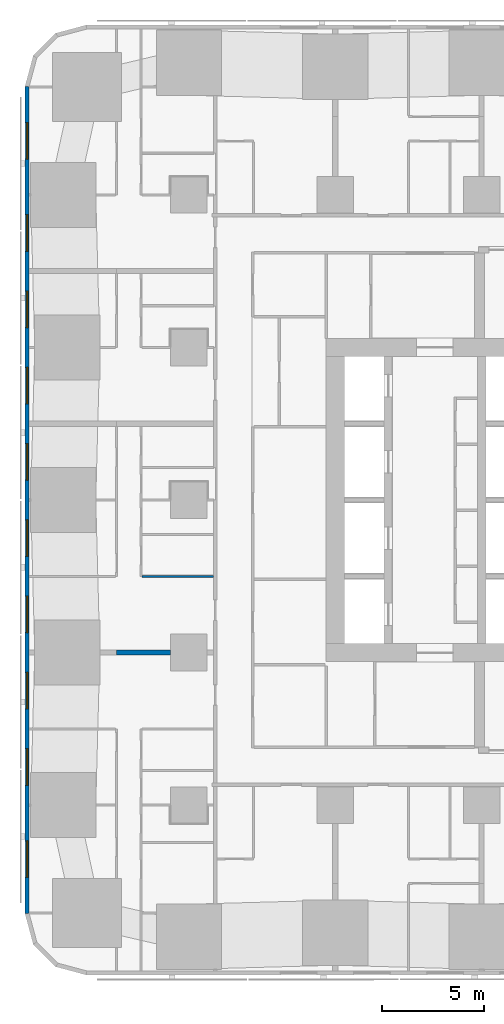
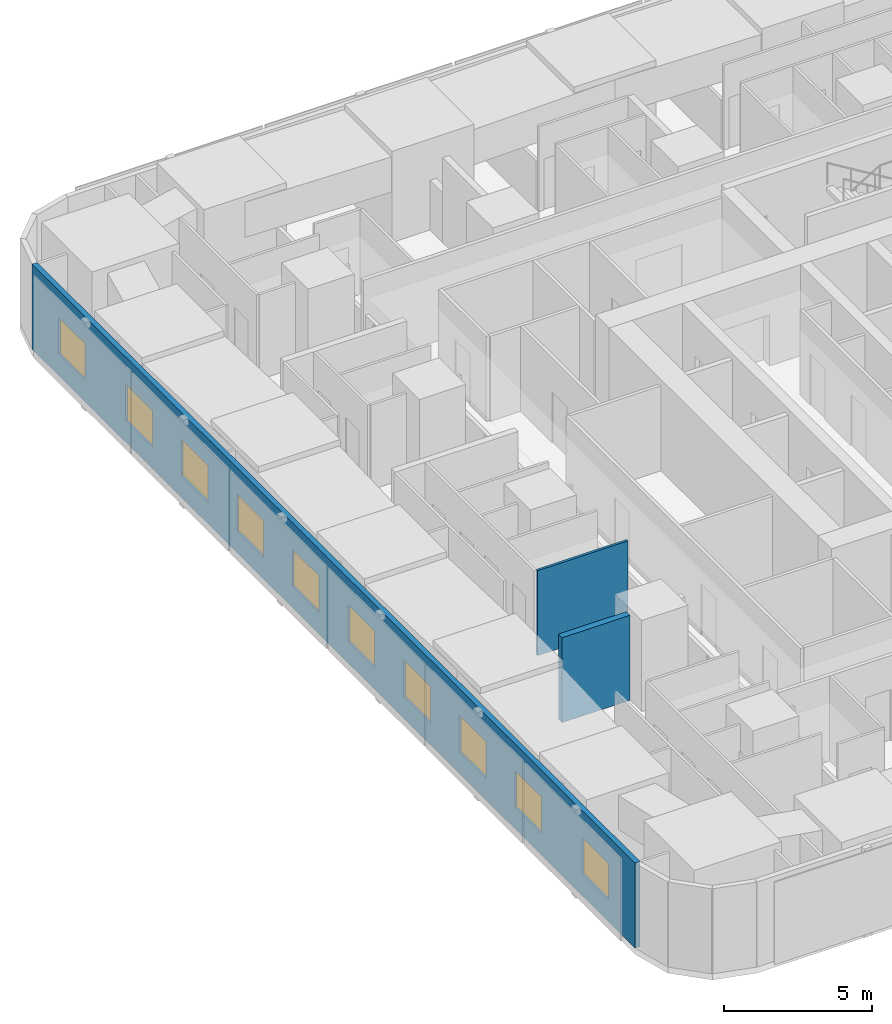
# One storey, part 4 of 17: 10 windows, 3 walls, 10 openings.
"""IFC4 building model written with IfcOpenShell, lengths in metres."""

from ifc_helpers import new_model, si_unit, direction, frame, frame_2d, origin, place, context, subcontext, project, spatial, rectangle, extrude, material, layer, layer_set, type_object, element, fill, save


model = new_model("IFC4")

# Units and contexts
model_context = context("Model", 3, precision=1e-05, world=origin(), true_north=direction((0.0, 1.0)))
body_context = subcontext(model_context, "Body", "Model", "MODEL_VIEW")
ifc_project = project(units=[si_unit("LENGTHUNIT", "METRE"), si_unit("AREAUNIT", "SQUARE_METRE"), si_unit("VOLUMEUNIT", "CUBIC_METRE"), si_unit("PLANEANGLEUNIT", "RADIAN"), si_unit("MASSUNIT", "GRAM", prefix="KILO")], contexts=[model_context])

# Site, building, storey
site_placement = place(None, origin())
site = spatial("IfcSite", under=ifc_project, at=site_placement, CompositionType="ELEMENT")
building_placement = place(site_placement, origin())
building = spatial("IfcBuilding", under=site, at=building_placement, Name="Sheger Commons Tower", CompositionType="ELEMENT")
storey_placement = place(building_placement, frame((0.0, 0.0, 27.5)))
storey = spatial("IfcBuildingStorey", under=building, at=storey_placement, Name="L06", CompositionType="ELEMENT", Elevation=27.5)

# Wall
ifc_material_1 = material(Name="Dense concrete block masonry, plastered both sides (separating wall between flats)", Category="masonry")
ifc_layer_1 = layer(ifc_material_1, 0.25)
ifc_layer_set_1 = layer_set([ifc_layer_1], Name="DEMISING WALL 250")
wall_type_1 = type_object("IfcWallType", Name="DEMISING WALL 250", PredefinedType="SOLIDWALL", material=ifc_layer_set_1)
wall_1_placement = place(storey_placement, frame((3.64990234375, 15.0, 0.0), z_axis=(0.0, 0.0, 1.0), x_axis=(1.0, 0.0, 0.0)))
element("IfcWall", 1, at=wall_1_placement, inside=storey, type_object=wall_type_1, Name="Demising wall L06", PredefinedType="SOLIDWALL", context=body_context, shape_type="SweptSolid", body=[
    extrude(rectangle(XDim=2.649169921875, YDim=0.25, at=frame_2d((1.32470703125, 0.0))), origin(), (0.0, 0.0, 1.0), 3.5),
])

# Wall, openings, windows
ifc_material_2 = material(Name="Rendered concrete block masonry, dark grey", Category="masonry")
ifc_layer_2 = layer(ifc_material_2, 0.199951171875)
ifc_layer_set_2 = layer_set([ifc_layer_2], Name="FACADE WALL 200")
wall_type_2 = type_object("IfcWallType", Name="FACADE WALL 200", PredefinedType="SOLIDWALL", material=ifc_layer_set_2)
wall_2_placement = place(storey_placement, frame((-0.75, 42.8369140625, 0.0), z_axis=(0.0, 0.0, 1.0), x_axis=(0.0, -1.0, 0.0)))
wall_2 = element("IfcWall", 2, at=wall_2_placement, inside=storey, type_object=wall_type_2, Name="Facade wall L06", PredefinedType="SOLIDWALL", context=body_context, shape_type="SweptSolid", body=[
    extrude(rectangle(XDim=40.673828125, YDim=0.199951171875, at=frame_2d((20.3369140625, 0.0))), origin(), (0.0, 0.0, 1.0), 3.5),
])
opening_1_placement = place(wall_2_placement, frame((1.780029296875, 0.0, 0.89990234375)))
opening_1 = element("IfcOpeningElement", 3, at=opening_1_placement, cuts=wall_2, Name="Opening W2", PredefinedType="OPENING", context=body_context, shape_type="SweptSolid", body=[
    extrude(rectangle(XDim=1.800048828125, YDim=1.5, at=frame_2d((0.89990234375, 0.75))), frame((0.0, 0.10986328125, 0.0), z_axis=(0.0, -1.0, 0.0), x_axis=(1.0, 0.0, 0.0)), (0.0, 0.0, 1.0), 0.219970703125),
])
opening_2_placement = place(wall_2_placement, frame((6.31201171875, 0.0, 0.89990234375)))
opening_2 = element("IfcOpeningElement", 4, at=opening_2_placement, cuts=wall_2, Name="Opening W2", PredefinedType="OPENING", context=body_context, shape_type="SweptSolid", body=[
    extrude(rectangle(XDim=1.800048828125, YDim=1.5, at=frame_2d((0.89990234375, 0.75))), frame((0.0, 0.10986328125, 0.0), z_axis=(0.0, -1.0, 0.0), x_axis=(1.0, 0.0, 0.0)), (0.0, 0.0, 1.0), 0.219970703125),
])
opening_3_placement = place(wall_2_placement, frame((10.06201171875, 0.0, 0.89990234375)))
opening_3 = element("IfcOpeningElement", 5, at=opening_3_placement, cuts=wall_2, Name="Opening W2", PredefinedType="OPENING", context=body_context, shape_type="SweptSolid", body=[
    extrude(rectangle(XDim=1.800048828125, YDim=1.5, at=frame_2d((0.89990234375, 0.75))), frame((0.0, 0.10986328125, 0.0), z_axis=(0.0, -1.0, 0.0), x_axis=(1.0, 0.0, 0.0)), (0.0, 0.0, 1.0), 0.219970703125),
])
opening_4_placement = place(wall_2_placement, frame((13.81201171875, 0.0, 0.89990234375)))
opening_4 = element("IfcOpeningElement", 6, at=opening_4_placement, cuts=wall_2, Name="Opening W2", PredefinedType="OPENING", context=body_context, shape_type="SweptSolid", body=[
    extrude(rectangle(XDim=1.800048828125, YDim=1.5, at=frame_2d((0.89990234375, 0.75))), frame((0.0, 0.10986328125, 0.0), z_axis=(0.0, -1.0, 0.0), x_axis=(1.0, 0.0, 0.0)), (0.0, 0.0, 1.0), 0.219970703125),
])
opening_5_placement = place(wall_2_placement, frame((17.56201171875, 0.0, 0.89990234375)))
opening_5 = element("IfcOpeningElement", 7, at=opening_5_placement, cuts=wall_2, Name="Opening W2", PredefinedType="OPENING", context=body_context, shape_type="SweptSolid", body=[
    extrude(rectangle(XDim=1.800048828125, YDim=1.5, at=frame_2d((0.89990234375, 0.75))), frame((0.0, 0.10986328125, 0.0), z_axis=(0.0, -1.0, 0.0), x_axis=(1.0, 0.0, 0.0)), (0.0, 0.0, 1.0), 0.219970703125),
])
opening_6_placement = place(wall_2_placement, frame((21.31201171875, 0.0, 0.89990234375)))
opening_6 = element("IfcOpeningElement", 8, at=opening_6_placement, cuts=wall_2, Name="Opening W2", PredefinedType="OPENING", context=body_context, shape_type="SweptSolid", body=[
    extrude(rectangle(XDim=1.800048828125, YDim=1.5, at=frame_2d((0.89990234375, 0.75))), frame((0.0, 0.10986328125, 0.0), z_axis=(0.0, -1.0, 0.0), x_axis=(1.0, 0.0, 0.0)), (0.0, 0.0, 1.0), 0.219970703125),
])
opening_7_placement = place(wall_2_placement, frame((25.06201171875, 0.0, 0.89990234375)))
opening_7 = element("IfcOpeningElement", 9, at=opening_7_placement, cuts=wall_2, Name="Opening W2", PredefinedType="OPENING", context=body_context, shape_type="SweptSolid", body=[
    extrude(rectangle(XDim=1.800048828125, YDim=1.5, at=frame_2d((0.89990234375, 0.75))), frame((0.0, 0.10986328125, 0.0), z_axis=(0.0, -1.0, 0.0), x_axis=(1.0, 0.0, 0.0)), (0.0, 0.0, 1.0), 0.219970703125),
])
opening_8_placement = place(wall_2_placement, frame((28.81201171875, 0.0, 0.89990234375)))
opening_8 = element("IfcOpeningElement", 10, at=opening_8_placement, cuts=wall_2, Name="Opening W2", PredefinedType="OPENING", context=body_context, shape_type="SweptSolid", body=[
    extrude(rectangle(XDim=1.800048828125, YDim=1.5, at=frame_2d((0.89990234375, 0.75))), frame((0.0, 0.10986328125, 0.0), z_axis=(0.0, -1.0, 0.0), x_axis=(1.0, 0.0, 0.0)), (0.0, 0.0, 1.0), 0.219970703125),
])
opening_9_placement = place(wall_2_placement, frame((32.56201171875, 0.0, 0.89990234375)))
opening_9 = element("IfcOpeningElement", 11, at=opening_9_placement, cuts=wall_2, Name="Opening W2", PredefinedType="OPENING", context=body_context, shape_type="SweptSolid", body=[
    extrude(rectangle(XDim=1.800048828125, YDim=1.5, at=frame_2d((0.89990234375, 0.75))), frame((0.0, 0.10986328125, 0.0), z_axis=(0.0, -1.0, 0.0), x_axis=(1.0, 0.0, 0.0)), (0.0, 0.0, 1.0), 0.219970703125),
])
opening_10_placement = place(wall_2_placement, frame((37.093994140625, 0.0, 0.89990234375)))
opening_10 = element("IfcOpeningElement", 12, at=opening_10_placement, cuts=wall_2, Name="Opening W2", PredefinedType="OPENING", context=body_context, shape_type="SweptSolid", body=[
    extrude(rectangle(XDim=1.800048828125, YDim=1.5, at=frame_2d((0.89990234375, 0.75))), frame((0.0, 0.10986328125, 0.0), z_axis=(0.0, -1.0, 0.0), x_axis=(1.0, 0.0, 0.0)), (0.0, 0.0, 1.0), 0.219970703125),
])
ifc_material_3 = material(Name="Black aluminium frame, dark tinted double glazing", Category="aluminium")
window_type = type_object("IfcWindowType", Name="WINDOW W2 1800x1500", PartitioningType="SINGLE_PANEL", PredefinedType="WINDOW", material=ifc_material_3)
window_1_placement = place(opening_1_placement, origin())
window_1 = element("IfcWindow", 13, at=window_1_placement, inside=storey, type_object=window_type, Name="Window W2 1800X1500", OverallHeight=1.5, OverallWidth=1.800048828125, PartitioningType="SINGLE_PANEL", PredefinedType="WINDOW", context=body_context, shape_type="SweptSolid", body=[
    extrude(rectangle(XDim=1.800048828125, YDim=1.5, at=frame_2d((0.89990234375, 0.75))), frame((0.0, 0.030029296875, 0.0), z_axis=(0.0, -1.0, 0.0), x_axis=(1.0, 0.0, 0.0)), (0.0, 0.0, 1.0), 0.06005859375),
])
fill(opening_1, window_1)
window_2_placement = place(opening_2_placement, origin())
window_2 = element("IfcWindow", 14, at=window_2_placement, inside=storey, type_object=window_type, Name="Window W2 1800X1500", OverallHeight=1.5, OverallWidth=1.800048828125, PartitioningType="SINGLE_PANEL", PredefinedType="WINDOW", context=body_context, shape_type="SweptSolid", body=[
    extrude(rectangle(XDim=1.800048828125, YDim=1.5, at=frame_2d((0.89990234375, 0.75))), frame((0.0, 0.030029296875, 0.0), z_axis=(0.0, -1.0, 0.0), x_axis=(1.0, 0.0, 0.0)), (0.0, 0.0, 1.0), 0.06005859375),
])
fill(opening_2, window_2)
window_3_placement = place(opening_3_placement, origin())
window_3 = element("IfcWindow", 15, at=window_3_placement, inside=storey, type_object=window_type, Name="Window W2 1800X1500", OverallHeight=1.5, OverallWidth=1.800048828125, PartitioningType="SINGLE_PANEL", PredefinedType="WINDOW", context=body_context, shape_type="SweptSolid", body=[
    extrude(rectangle(XDim=1.800048828125, YDim=1.5, at=frame_2d((0.89990234375, 0.75))), frame((0.0, 0.030029296875, 0.0), z_axis=(0.0, -1.0, 0.0), x_axis=(1.0, 0.0, 0.0)), (0.0, 0.0, 1.0), 0.06005859375),
])
fill(opening_3, window_3)
window_4_placement = place(opening_4_placement, origin())
window_4 = element("IfcWindow", 16, at=window_4_placement, inside=storey, type_object=window_type, Name="Window W2 1800X1500", OverallHeight=1.5, OverallWidth=1.800048828125, PartitioningType="SINGLE_PANEL", PredefinedType="WINDOW", context=body_context, shape_type="SweptSolid", body=[
    extrude(rectangle(XDim=1.800048828125, YDim=1.5, at=frame_2d((0.89990234375, 0.75))), frame((0.0, 0.030029296875, 0.0), z_axis=(0.0, -1.0, 0.0), x_axis=(1.0, 0.0, 0.0)), (0.0, 0.0, 1.0), 0.06005859375),
])
fill(opening_4, window_4)
window_5_placement = place(opening_5_placement, origin())
window_5 = element("IfcWindow", 17, at=window_5_placement, inside=storey, type_object=window_type, Name="Window W2 1800X1500", OverallHeight=1.5, OverallWidth=1.800048828125, PartitioningType="SINGLE_PANEL", PredefinedType="WINDOW", context=body_context, shape_type="SweptSolid", body=[
    extrude(rectangle(XDim=1.800048828125, YDim=1.5, at=frame_2d((0.89990234375, 0.75))), frame((0.0, 0.030029296875, 0.0), z_axis=(0.0, -1.0, 0.0), x_axis=(1.0, 0.0, 0.0)), (0.0, 0.0, 1.0), 0.06005859375),
])
fill(opening_5, window_5)
window_6_placement = place(opening_6_placement, origin())
window_6 = element("IfcWindow", 18, at=window_6_placement, inside=storey, type_object=window_type, Name="Window W2 1800X1500", OverallHeight=1.5, OverallWidth=1.800048828125, PartitioningType="SINGLE_PANEL", PredefinedType="WINDOW", context=body_context, shape_type="SweptSolid", body=[
    extrude(rectangle(XDim=1.800048828125, YDim=1.5, at=frame_2d((0.89990234375, 0.75))), frame((0.0, 0.030029296875, 0.0), z_axis=(0.0, -1.0, 0.0), x_axis=(1.0, 0.0, 0.0)), (0.0, 0.0, 1.0), 0.06005859375),
])
fill(opening_6, window_6)
window_7_placement = place(opening_7_placement, origin())
window_7 = element("IfcWindow", 19, at=window_7_placement, inside=storey, type_object=window_type, Name="Window W2 1800X1500", OverallHeight=1.5, OverallWidth=1.800048828125, PartitioningType="SINGLE_PANEL", PredefinedType="WINDOW", context=body_context, shape_type="SweptSolid", body=[
    extrude(rectangle(XDim=1.800048828125, YDim=1.5, at=frame_2d((0.89990234375, 0.75))), frame((0.0, 0.030029296875, 0.0), z_axis=(0.0, -1.0, 0.0), x_axis=(1.0, 0.0, 0.0)), (0.0, 0.0, 1.0), 0.06005859375),
])
fill(opening_7, window_7)
window_8_placement = place(opening_8_placement, origin())
window_8 = element("IfcWindow", 20, at=window_8_placement, inside=storey, type_object=window_type, Name="Window W2 1800X1500", OverallHeight=1.5, OverallWidth=1.800048828125, PartitioningType="SINGLE_PANEL", PredefinedType="WINDOW", context=body_context, shape_type="SweptSolid", body=[
    extrude(rectangle(XDim=1.800048828125, YDim=1.5, at=frame_2d((0.89990234375, 0.75))), frame((0.0, 0.030029296875, 0.0), z_axis=(0.0, -1.0, 0.0), x_axis=(1.0, 0.0, 0.0)), (0.0, 0.0, 1.0), 0.06005859375),
])
fill(opening_8, window_8)
window_9_placement = place(opening_9_placement, origin())
window_9 = element("IfcWindow", 21, at=window_9_placement, inside=storey, type_object=window_type, Name="Window W2 1800X1500", OverallHeight=1.5, OverallWidth=1.800048828125, PartitioningType="SINGLE_PANEL", PredefinedType="WINDOW", context=body_context, shape_type="SweptSolid", body=[
    extrude(rectangle(XDim=1.800048828125, YDim=1.5, at=frame_2d((0.89990234375, 0.75))), frame((0.0, 0.030029296875, 0.0), z_axis=(0.0, -1.0, 0.0), x_axis=(1.0, 0.0, 0.0)), (0.0, 0.0, 1.0), 0.06005859375),
])
fill(opening_9, window_9)
window_10_placement = place(opening_10_placement, origin())
window_10 = element("IfcWindow", 22, at=window_10_placement, inside=storey, type_object=window_type, Name="Window W2 1800X1500", OverallHeight=1.5, OverallWidth=1.800048828125, PartitioningType="SINGLE_PANEL", PredefinedType="WINDOW", context=body_context, shape_type="SweptSolid", body=[
    extrude(rectangle(XDim=1.800048828125, YDim=1.5, at=frame_2d((0.89990234375, 0.75))), frame((0.0, 0.030029296875, 0.0), z_axis=(0.0, -1.0, 0.0), x_axis=(1.0, 0.0, 0.0)), (0.0, 0.0, 1.0), 0.06005859375),
])
fill(opening_10, window_10)

# Wall
ifc_material_4 = material(Name="Gypsum board on steel studs", Category="steel")
ifc_layer_3 = layer(ifc_material_4, 0.10009765625)
ifc_layer_set_3 = layer_set([ifc_layer_3], Name="PARTITION 100")
wall_type_3 = type_object("IfcWallType", Name="PARTITION 100", PredefinedType="PARTITIONING", material=ifc_layer_set_3)
wall_3_placement = place(storey_placement, frame((4.89990234375, 18.75, 0.0), z_axis=(0.0, 0.0, 1.0), x_axis=(1.0, 0.0, 0.0)))
element("IfcWall", 23, at=wall_3_placement, inside=storey, type_object=wall_type_3, Name="Partition L06", PredefinedType="PARTITIONING", context=body_context, shape_type="SweptSolid", body=[
    extrude(rectangle(XDim=3.525146484375, YDim=0.10009765625, at=frame_2d((1.7626953125, 0.0))), origin(), (0.0, 0.0, 1.0), 3.5),
])

save(model, "model.ifc")
